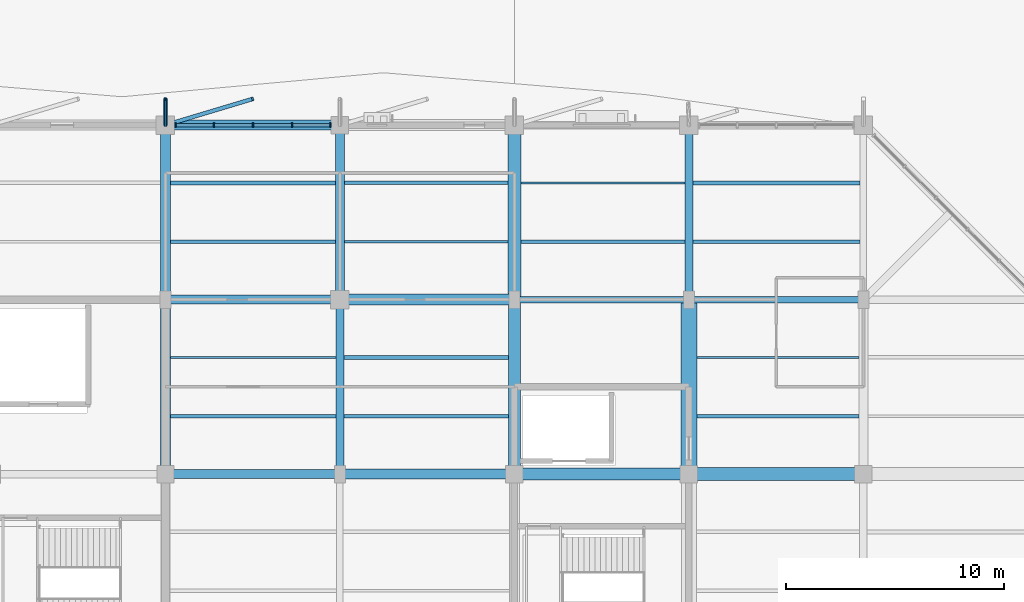
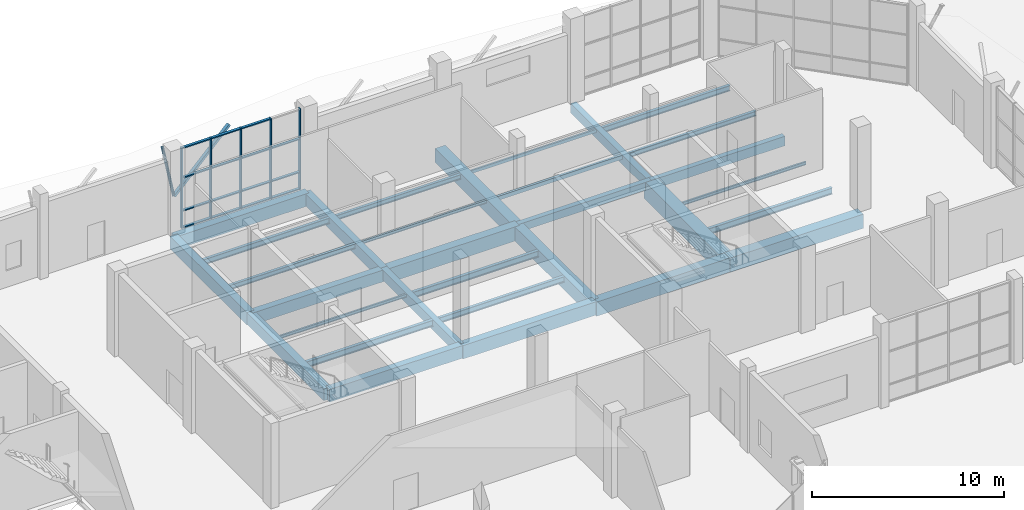
# One storey, part 41 of 123: 31 beams, 22 members, 1 element without a shape of its own.
"""IFC4 building model written with IfcOpenShell, lengths in metres."""

from ifc_helpers import new_model, si_unit, direction, frame, origin, origin_2d, place, context, subcontext, project, spatial, rectangle, hollow_rectangle, hollow_circle, i_section, extrude, material, material_profile, profile_set, type_object, element, aggregate, save


model = new_model("IFC4")

# Units and contexts
model_context = context("Model", 3, precision=1e-05, world=origin(), true_north=direction((0.0, 1.0)))
body_context = subcontext(model_context, "Body", "Model", "MODEL_VIEW")
ifc_project = project(units=[si_unit("LENGTHUNIT", "METRE"), si_unit("AREAUNIT", "SQUARE_METRE"), si_unit("VOLUMEUNIT", "CUBIC_METRE"), si_unit("PLANEANGLEUNIT", "RADIAN"), si_unit("MASSUNIT", "GRAM", prefix="KILO")], contexts=[model_context])

# Site, building, storey
site_placement = place(None, origin())
site = spatial("IfcSite", under=ifc_project, at=site_placement, CompositionType="ELEMENT")
building_placement = place(site_placement, origin())
building = spatial("IfcBuilding", under=site, at=building_placement, Name="Tenunan Teduh Sports Hall", CompositionType="ELEMENT")
storey_placement = place(building_placement, origin())
storey = spatial("IfcBuildingStorey", under=building, at=storey_placement, Name="L00", CompositionType="ELEMENT", Elevation=0.0)

# Beams
ifc_material_1 = material(Name="Concrete C40/50", Category="concrete")
ifc_material_profile_1 = material_profile(ifc_material_1, rectangle(XDim=0.300048828125, YDim=0.5, at=origin_2d()), Name="RCB 300x500")
ifc_profile_set_1 = profile_set([ifc_material_profile_1], Name="Concrete C40/50")
beam_type_1 = type_object("IfcBeamType", Name="BM-RC-300x500", PredefinedType="BEAM", material=ifc_profile_set_1)
beam_1_placement = place(storey_placement, frame((54.0, 110.0, -0.530029296875), z_axis=(1.0, 0.0, 0.0), x_axis=(0.0, 1.0, 0.0)))
element("IfcBeam", 1, at=beam_1_placement, inside=storey, type_object=beam_type_1, Name="BM-B-01-L00-0739", PredefinedType="BEAM", context=body_context, shape_type="SweptSolid", body=[
    extrude(rectangle(XDim=0.300048828125, YDim=0.5, at=origin_2d()), origin(), (0.0, 0.0, 1.0), 8.0),
])
ifc_material_2 = material(Name="Concrete C40/50", Category="concrete")
ifc_material_profile_2 = material_profile(ifc_material_2, rectangle(XDim=0.300048828125, YDim=0.60009765625, at=origin_2d()), Name="RCB 300x600")
ifc_profile_set_2 = profile_set([ifc_material_profile_2], Name="Concrete C40/50")
beam_type_2 = type_object("IfcBeamType", Name="BM-RC-300x600", PredefinedType="BEAM", material=ifc_profile_set_2)
beam_2_placement = place(storey_placement, frame((62.0, 110.0, -0.580078125), z_axis=(1.0, 0.0, 0.0), x_axis=(0.0, 1.0, 0.0)))
element("IfcBeam", 2, at=beam_2_placement, inside=storey, type_object=beam_type_2, Name="BM-B-03-L00-0740", PredefinedType="BEAM", context=body_context, shape_type="SweptSolid", body=[
    extrude(rectangle(XDim=0.300048828125, YDim=0.60009765625, at=origin_2d()), origin(), (0.0, 0.0, 1.0), 8.0),
])
ifc_material_3 = material(Name="Concrete C40/50", Category="concrete")
ifc_material_profile_3 = material_profile(ifc_material_3, rectangle(XDim=0.35009765625, YDim=0.60009765625, at=origin_2d()), Name="RCB 350x600")
ifc_profile_set_3 = profile_set([ifc_material_profile_3], Name="Concrete C40/50")
beam_type_3 = type_object("IfcBeamType", Name="BM-RC-350x600", PredefinedType="BEAM", material=ifc_profile_set_3)
beam_3_placement = place(storey_placement, frame((62.0, 110.0, -0.580078125), z_axis=(0.0, 1.0, 0.0), x_axis=(-1.0, 0.0, 0.0)))
element("IfcBeam", 3, at=beam_3_placement, inside=storey, type_object=beam_type_3, Name="BM-B-04-L00-0812", PredefinedType="BEAM", context=body_context, shape_type="SweptSolid", body=[
    extrude(rectangle(XDim=0.35009765625, YDim=0.60009765625, at=origin_2d()), origin(), (0.0, 0.0, 1.0), 8.0),
])
ifc_material_4 = material(Name="Concrete C40/50", Category="concrete")
ifc_material_profile_4 = material_profile(ifc_material_4, rectangle(XDim=0.35009765625, YDim=0.64990234375, at=origin_2d()), Name="RCB 350x650")
ifc_profile_set_4 = profile_set([ifc_material_profile_4], Name="Concrete C40/50")
beam_type_4 = type_object("IfcBeamType", Name="BM-RC-350x650", PredefinedType="BEAM", material=ifc_profile_set_4)
beam_4_placement = place(storey_placement, frame((46.0, 102.0, -0.60498046875), z_axis=(0.0, 1.0, 0.0), x_axis=(-1.0, 0.0, 0.0)))
element("IfcBeam", 4, at=beam_4_placement, inside=storey, type_object=beam_type_4, Name="BM-B-05-L00-0799", PredefinedType="BEAM", context=body_context, shape_type="SweptSolid", body=[
    extrude(rectangle(XDim=0.35009765625, YDim=0.64990234375, at=origin_2d()), origin(), (0.0, 0.0, 1.0), 8.0),
])
ifc_material_5 = material(Name="Concrete C40/50", Category="concrete")
ifc_material_profile_5 = material_profile(ifc_material_5, rectangle(XDim=0.39990234375, YDim=0.75, at=origin_2d()), Name="RCB 400x750")
ifc_profile_set_5 = profile_set([ifc_material_profile_5], Name="Concrete C40/50")
beam_type_5 = type_object("IfcBeamType", Name="BM-RC-400x750", PredefinedType="BEAM", material=ifc_profile_set_5)
for number, where, z_axis, x_axis, name in (
    (5, (38.0, 110.0, -0.655029296875), (1.0, 0.0, 0.0), (0.0, 1.0, 0.0), "BM-B-09-L00-0737"),
    (6, (46.0, 110.0, -0.655029296875), (0.0, 1.0, 0.0), (-1.0, 0.0, 0.0), "BM-B-09-L00-0800"),
):
    element("IfcBeam", number, at=place(storey_placement, frame(where, z_axis=z_axis, x_axis=x_axis)), inside=storey, type_object=beam_type_5, Name=name, PredefinedType="BEAM", context=body_context, shape_type="SweptSolid", body=[
        extrude(rectangle(XDim=0.39990234375, YDim=0.75, at=origin_2d()), origin(), (0.0, 0.0, 1.0), 8.0),
    ])
ifc_material_6 = material(Name="Concrete C40/50", Category="concrete")
ifc_material_profile_6 = material_profile(ifc_material_6, rectangle(XDim=0.39990234375, YDim=0.800048828125, at=origin_2d()), Name="RCB 400x800")
ifc_profile_set_6 = profile_set([ifc_material_profile_6], Name="Concrete C40/50")
beam_type_6 = type_object("IfcBeamType", Name="BM-RC-400x800", PredefinedType="BEAM", material=ifc_profile_set_6)
beam_5_placement = place(storey_placement, frame((38.0, 102.0, -0.679931640625), z_axis=(1.0, 0.0, 0.0), x_axis=(0.0, 1.0, 0.0)))
element("IfcBeam", 7, at=beam_5_placement, inside=storey, type_object=beam_type_6, Name="BM-B-10-L00-0720", PredefinedType="BEAM", context=body_context, shape_type="SweptSolid", body=[
    extrude(rectangle(XDim=0.39990234375, YDim=0.800048828125, at=origin_2d()), origin(), (0.0, 0.0, 1.0), 8.0),
])
ifc_material_7 = material(Name="Concrete C40/50", Category="concrete")
ifc_material_profile_7 = material_profile(ifc_material_7, rectangle(XDim=0.449951171875, YDim=0.75, at=origin_2d()), Name="RCB 450x750")
ifc_profile_set_7 = profile_set([ifc_material_profile_7], Name="Concrete C40/50")
beam_type_7 = type_object("IfcBeamType", Name="BM-RC-450x750", PredefinedType="BEAM", material=ifc_profile_set_7)
beam_6_placement = place(storey_placement, frame((38.0, 102.0, -0.655029296875), z_axis=(0.0, 1.0, 0.0), x_axis=(-1.0, 0.0, 0.0)))
element("IfcBeam", 8, at=beam_6_placement, inside=storey, type_object=beam_type_7, Name="BM-B-11-L00-0793", PredefinedType="BEAM", context=body_context, shape_type="SweptSolid", body=[
    extrude(rectangle(XDim=0.449951171875, YDim=0.75, at=origin_2d()), origin(), (0.0, 0.0, 1.0), 8.0),
])
ifc_material_8 = material(Name="Concrete C40/50", Category="concrete")
ifc_material_profile_8 = material_profile(ifc_material_8, rectangle(XDim=0.449951171875, YDim=0.800048828125, at=origin_2d()), Name="RCB 450x800")
ifc_profile_set_8 = profile_set([ifc_material_profile_8], Name="Concrete C40/50")
beam_type_8 = type_object("IfcBeamType", Name="BM-RC-450x800", PredefinedType="BEAM", material=ifc_profile_set_8)
for number, where, z_axis, x_axis, name in (
    (9, (38.0, 118.0, -0.679931640625), (1.0, 0.0, 0.0), (0.0, 1.0, 0.0), "BM-B-12-L00-0753"),
    (10, (38.0, 110.0, -0.679931640625), (0.0, 1.0, 0.0), (-1.0, 0.0, 0.0), "BM-B-12-L00-0794"),
):
    element("IfcBeam", number, at=place(storey_placement, frame(where, z_axis=z_axis, x_axis=x_axis)), inside=storey, type_object=beam_type_8, Name=name, PredefinedType="BEAM", context=body_context, shape_type="SweptSolid", body=[
        extrude(rectangle(XDim=0.449951171875, YDim=0.800048828125, at=origin_2d()), origin(), (0.0, 0.0, 1.0), 8.0),
    ])
ifc_material_9 = material(Name="Concrete C40/50", Category="concrete")
ifc_material_profile_9 = material_profile(ifc_material_9, rectangle(XDim=0.449951171875, YDim=0.85009765625, at=origin_2d()), Name="RCB 450x850")
ifc_profile_set_9 = profile_set([ifc_material_profile_9], Name="Concrete C40/50")
beam_type_9 = type_object("IfcBeamType", Name="BM-RC-450x850", PredefinedType="BEAM", material=ifc_profile_set_9)
beam_7_placement = place(storey_placement, frame((46.0, 102.0, -0.705078125), z_axis=(1.0, 0.0, 0.0), x_axis=(0.0, 1.0, 0.0)))
element("IfcBeam", 11, at=beam_7_placement, inside=storey, type_object=beam_type_9, Name="BM-B-13-L00-0721", PredefinedType="BEAM", context=body_context, shape_type="SweptSolid", body=[
    extrude(rectangle(XDim=0.449951171875, YDim=0.85009765625, at=origin_2d()), origin(), (0.0, 0.0, 1.0), 8.0),
])
ifc_material_10 = material(Name="Concrete C40/50", Category="concrete")
ifc_material_profile_10 = material_profile(ifc_material_10, rectangle(XDim=0.5, YDim=0.89990234375, at=origin_2d()), Name="RCB 500x900")
ifc_profile_set_10 = profile_set([ifc_material_profile_10], Name="Concrete C40/50")
beam_type_10 = type_object("IfcBeamType", Name="BM-RC-500x900", PredefinedType="BEAM", material=ifc_profile_set_10)
beam_8_placement = place(storey_placement, frame((46.0, 110.0, -0.72998046875), z_axis=(1.0, 0.0, 0.0), x_axis=(0.0, 1.0, 0.0)))
element("IfcBeam", 12, at=beam_8_placement, inside=storey, type_object=beam_type_10, Name="BM-B-15-L00-0738", PredefinedType="BEAM", context=body_context, shape_type="SweptSolid", body=[
    extrude(rectangle(XDim=0.5, YDim=0.89990234375, at=origin_2d()), origin(), (0.0, 0.0, 1.0), 8.0),
])
ifc_material_11 = material(Name="Concrete C40/50", Category="concrete")
ifc_material_profile_11 = material_profile(ifc_material_11, rectangle(XDim=0.550048828125, YDim=0.89990234375, at=origin_2d()), Name="RCB 550x900")
ifc_profile_set_11 = profile_set([ifc_material_profile_11], Name="Concrete C40/50")
beam_type_11 = type_object("IfcBeamType", Name="BM-RC-550x900", PredefinedType="BEAM", material=ifc_profile_set_11)
for number, where, z_axis, x_axis, name in (
    (13, (54.0, 102.0, -0.72998046875), (1.0, 0.0, 0.0), (0.0, 1.0, 0.0), "BM-B-16-L00-0722"),
    (14, (54.0, 102.0, -0.72998046875), (0.0, 1.0, 0.0), (-1.0, 0.0, 0.0), "BM-B-16-L00-0807"),
):
    element("IfcBeam", number, at=place(storey_placement, frame(where, z_axis=z_axis, x_axis=x_axis)), inside=storey, type_object=beam_type_11, Name=name, PredefinedType="BEAM", context=body_context, shape_type="SweptSolid", body=[
        extrude(rectangle(XDim=0.550048828125, YDim=0.89990234375, at=origin_2d()), origin(), (0.0, 0.0, 1.0), 8.0),
    ])
ifc_material_12 = material(Name="Concrete C40/50", Category="concrete")
ifc_material_profile_12 = material_profile(ifc_material_12, rectangle(XDim=0.60009765625, YDim=0.89990234375, at=origin_2d()), Name="RCB 600x900")
ifc_profile_set_12 = profile_set([ifc_material_profile_12], Name="Concrete C40/50")
beam_type_12 = type_object("IfcBeamType", Name="BM-RC-600x900", PredefinedType="BEAM", material=ifc_profile_set_12)
for number, where, z_axis, x_axis, name in (
    (15, (62.0, 102.0, -0.72998046875), (1.0, 0.0, 0.0), (0.0, 1.0, 0.0), "BM-B-17-L00-0723"),
    (16, (54.0, 110.0, -0.72998046875), (0.0, 1.0, 0.0), (-1.0, 0.0, 0.0), "BM-B-17-L00-0808"),
):
    element("IfcBeam", number, at=place(storey_placement, frame(where, z_axis=z_axis, x_axis=x_axis)), inside=storey, type_object=beam_type_12, Name=name, PredefinedType="BEAM", context=body_context, shape_type="SweptSolid", body=[
        extrude(rectangle(XDim=0.60009765625, YDim=0.89990234375, at=origin_2d()), origin(), (0.0, 0.0, 1.0), 8.0),
    ])
ifc_material_13 = material(Name="Concrete C40/50", Category="concrete")
ifc_material_profile_13 = material_profile(ifc_material_13, rectangle(XDim=0.75, YDim=1.10009765625, at=origin_2d()), Name="RCB 750x1100")
ifc_profile_set_13 = profile_set([ifc_material_profile_13], Name="Concrete C40/50")
beam_type_13 = type_object("IfcBeamType", Name="BM-RC-750x1100", PredefinedType="SPANDREL", material=ifc_profile_set_13)
beam_9_placement = place(storey_placement, frame((62.0, 102.0, -0.830078125), z_axis=(0.0, 1.0, 0.0), x_axis=(-1.0, 0.0, 0.0)))
element("IfcBeam", 17, at=beam_9_placement, inside=storey, type_object=beam_type_13, Name="BM-B-20-L00-0811", PredefinedType="SPANDREL", context=body_context, shape_type="SweptSolid", body=[
    extrude(rectangle(XDim=0.75, YDim=1.10009765625, at=origin_2d()), origin(), (0.0, 0.0, 1.0), 8.0),
])

# Curtain wall, members
ifc_material_14 = material(Name="Anodised aluminium", Category="aluminium")
curtain_wall_type = type_object("IfcCurtainWallType", Name="CW-UNIT-1", PredefinedType="NOTDEFINED", material=ifc_material_14)
curtain_wall_placement = place(storey_placement, origin())
curtain_wall = element("IfcCurtainWall", 18, at=curtain_wall_placement, inside=storey, type_object=curtain_wall_type, Name="CW-CWM-200-L00-196", PredefinedType="NOTDEFINED")
ifc_material_15 = material(Name="Anodised aluminium", Category="aluminium")
ifc_material_profile_14 = material_profile(ifc_material_15, rectangle(XDim=0.070068359375, YDim=0.199951171875, at=origin_2d()), Name="CWM 70x200")
ifc_profile_set_14 = profile_set([ifc_material_profile_14], Name="Anodised aluminium")
member_type_1 = type_object("IfcMemberType", Name="CWM-200", PredefinedType="MULLION", material=ifc_profile_set_14)
member_1_placement = place(storey_placement, frame((38.4599609375, 118.0, 0.0), z_axis=(0.0, 0.0, 1.0), x_axis=(1.0, 0.0, 0.0)))
member_1 = element("IfcMember", 19, at=member_1_placement, type_object=member_type_1, Name="CW-01 mullion 1", PredefinedType="MULLION", context=body_context, shape_type="SweptSolid", body=[
    extrude(rectangle(XDim=0.070068359375, YDim=0.199951171875, at=origin_2d()), origin(), (0.0, 0.0, 1.0), 5.1201171875),
])
member_2_placement = place(storey_placement, frame((40.21875, 118.0, 0.0), z_axis=(0.0, 0.0, 1.0), x_axis=(1.0, 0.0, 0.0)))
member_2 = element("IfcMember", 20, at=member_2_placement, type_object=member_type_1, Name="CW-01 mullion 2", PredefinedType="MULLION", context=body_context, shape_type="SweptSolid", body=[
    extrude(rectangle(XDim=0.070068359375, YDim=0.199951171875, at=origin_2d()), origin(), (0.0, 0.0, 1.0), 5.1201171875),
])
member_3_placement = place(storey_placement, frame((42.012451171875, 118.0, 0.0), z_axis=(0.0, 0.0, 1.0), x_axis=(1.0, 0.0, 0.0)))
member_3 = element("IfcMember", 21, at=member_3_placement, type_object=member_type_1, Name="CW-01 mullion 3", PredefinedType="MULLION", context=body_context, shape_type="SweptSolid", body=[
    extrude(rectangle(XDim=0.070068359375, YDim=0.199951171875, at=origin_2d()), origin(), (0.0, 0.0, 1.0), 5.1201171875),
])
member_4_placement = place(storey_placement, frame((43.80615234375, 118.0, 0.0), z_axis=(0.0, 0.0, 1.0), x_axis=(1.0, 0.0, 0.0)))
member_4 = element("IfcMember", 22, at=member_4_placement, type_object=member_type_1, Name="CW-01 mullion 4", PredefinedType="MULLION", context=body_context, shape_type="SweptSolid", body=[
    extrude(rectangle(XDim=0.070068359375, YDim=0.199951171875, at=origin_2d()), origin(), (0.0, 0.0, 1.0), 5.1201171875),
])
member_5_placement = place(storey_placement, frame((45.56494140625, 118.0, 0.0), z_axis=(0.0, 0.0, 1.0), x_axis=(1.0, 0.0, 0.0)))
member_5 = element("IfcMember", 23, at=member_5_placement, type_object=member_type_1, Name="CW-01 mullion 5", PredefinedType="MULLION", context=body_context, shape_type="SweptSolid", body=[
    extrude(rectangle(XDim=0.070068359375, YDim=0.199951171875, at=origin_2d()), origin(), (0.0, 0.0, 1.0), 5.1201171875),
])
ifc_material_16 = material(Name="Anodised aluminium", Category="aluminium")
ifc_material_profile_15 = material_profile(ifc_material_16, rectangle(XDim=0.070068359375, YDim=0.159912109375, at=origin_2d()), Name="CWT 70x160")
ifc_profile_set_15 = profile_set([ifc_material_profile_15], Name="Anodised aluminium")
member_type_2 = type_object("IfcMemberType", Name="CWT-200", PredefinedType="USERDEFINED", material=ifc_profile_set_15)
member_6_placement = place(storey_placement, frame((38.4951171875, 118.0, 0.034912109375), z_axis=(1.0, 0.0, 0.0), x_axis=(0.0, 0.0, 1.0)))
member_6 = element("IfcMember", 24, at=member_6_placement, type_object=member_type_2, Name="CW-01 transom 1.1", ObjectType="TRANSOM", PredefinedType="USERDEFINED", context=body_context, shape_type="SweptSolid", body=[
    extrude(rectangle(XDim=0.070068359375, YDim=0.159912109375, at=origin_2d()), origin(), (0.0, 0.0, 1.0), 1.688720703125),
])
member_7_placement = place(storey_placement, frame((38.4951171875, 118.0, 1.10009765625), z_axis=(1.0, 0.0, 0.0), x_axis=(0.0, 0.0, 1.0)))
member_7 = element("IfcMember", 25, at=member_7_placement, type_object=member_type_2, Name="CW-01 transom 1.2", ObjectType="TRANSOM", PredefinedType="USERDEFINED", context=body_context, shape_type="SweptSolid", body=[
    extrude(rectangle(XDim=0.070068359375, YDim=0.159912109375, at=origin_2d()), origin(), (0.0, 0.0, 1.0), 1.688720703125),
])
member_8_placement = place(storey_placement, frame((38.4951171875, 118.0, 3.199951171875), z_axis=(1.0, 0.0, 0.0), x_axis=(0.0, 0.0, 1.0)))
member_8 = element("IfcMember", 26, at=member_8_placement, type_object=member_type_2, Name="CW-01 transom 1.3", ObjectType="TRANSOM", PredefinedType="USERDEFINED", context=body_context, shape_type="SweptSolid", body=[
    extrude(rectangle(XDim=0.070068359375, YDim=0.159912109375, at=origin_2d()), origin(), (0.0, 0.0, 1.0), 1.688720703125),
])
member_9_placement = place(storey_placement, frame((38.4951171875, 118.0, 5.0849609375), z_axis=(1.0, 0.0, 0.0), x_axis=(0.0, 0.0, 1.0)))
member_9 = element("IfcMember", 27, at=member_9_placement, type_object=member_type_2, Name="CW-01 transom 1.4", ObjectType="TRANSOM", PredefinedType="USERDEFINED", context=body_context, shape_type="SweptSolid", body=[
    extrude(rectangle(XDim=0.070068359375, YDim=0.159912109375, at=origin_2d()), origin(), (0.0, 0.0, 1.0), 1.688720703125),
])
member_10_placement = place(storey_placement, frame((40.253662109375, 118.0, 0.034912109375), z_axis=(1.0, 0.0, 0.0), x_axis=(0.0, 0.0, 1.0)))
member_10 = element("IfcMember", 28, at=member_10_placement, type_object=member_type_2, Name="CW-01 transom 2.1", ObjectType="TRANSOM", PredefinedType="USERDEFINED", context=body_context, shape_type="SweptSolid", body=[
    extrude(rectangle(XDim=0.070068359375, YDim=0.159912109375, at=origin_2d()), origin(), (0.0, 0.0, 1.0), 1.723876953125),
])
member_11_placement = place(storey_placement, frame((40.253662109375, 118.0, 1.10009765625), z_axis=(1.0, 0.0, 0.0), x_axis=(0.0, 0.0, 1.0)))
member_11 = element("IfcMember", 29, at=member_11_placement, type_object=member_type_2, Name="CW-01 transom 2.2", ObjectType="TRANSOM", PredefinedType="USERDEFINED", context=body_context, shape_type="SweptSolid", body=[
    extrude(rectangle(XDim=0.070068359375, YDim=0.159912109375, at=origin_2d()), origin(), (0.0, 0.0, 1.0), 1.723876953125),
])
member_12_placement = place(storey_placement, frame((40.253662109375, 118.0, 3.199951171875), z_axis=(1.0, 0.0, 0.0), x_axis=(0.0, 0.0, 1.0)))
member_12 = element("IfcMember", 30, at=member_12_placement, type_object=member_type_2, Name="CW-01 transom 2.3", ObjectType="TRANSOM", PredefinedType="USERDEFINED", context=body_context, shape_type="SweptSolid", body=[
    extrude(rectangle(XDim=0.070068359375, YDim=0.159912109375, at=origin_2d()), origin(), (0.0, 0.0, 1.0), 1.723876953125),
])
member_13_placement = place(storey_placement, frame((40.253662109375, 118.0, 5.0849609375), z_axis=(1.0, 0.0, 0.0), x_axis=(0.0, 0.0, 1.0)))
member_13 = element("IfcMember", 31, at=member_13_placement, type_object=member_type_2, Name="CW-01 transom 2.4", ObjectType="TRANSOM", PredefinedType="USERDEFINED", context=body_context, shape_type="SweptSolid", body=[
    extrude(rectangle(XDim=0.070068359375, YDim=0.159912109375, at=origin_2d()), origin(), (0.0, 0.0, 1.0), 1.723876953125),
])
member_14_placement = place(storey_placement, frame((42.047607421875, 118.0, 0.034912109375), z_axis=(1.0, 0.0, 0.0), x_axis=(0.0, 0.0, 1.0)))
member_14 = element("IfcMember", 32, at=member_14_placement, type_object=member_type_2, Name="CW-01 transom 3.1", ObjectType="TRANSOM", PredefinedType="USERDEFINED", context=body_context, shape_type="SweptSolid", body=[
    extrude(rectangle(XDim=0.070068359375, YDim=0.159912109375, at=origin_2d()), origin(), (0.0, 0.0, 1.0), 1.7236328125),
])
member_15_placement = place(storey_placement, frame((42.047607421875, 118.0, 1.10009765625), z_axis=(1.0, 0.0, 0.0), x_axis=(0.0, 0.0, 1.0)))
member_15 = element("IfcMember", 33, at=member_15_placement, type_object=member_type_2, Name="CW-01 transom 3.2", ObjectType="TRANSOM", PredefinedType="USERDEFINED", context=body_context, shape_type="SweptSolid", body=[
    extrude(rectangle(XDim=0.070068359375, YDim=0.159912109375, at=origin_2d()), origin(), (0.0, 0.0, 1.0), 1.7236328125),
])
member_16_placement = place(storey_placement, frame((42.047607421875, 118.0, 3.199951171875), z_axis=(1.0, 0.0, 0.0), x_axis=(0.0, 0.0, 1.0)))
member_16 = element("IfcMember", 34, at=member_16_placement, type_object=member_type_2, Name="CW-01 transom 3.3", ObjectType="TRANSOM", PredefinedType="USERDEFINED", context=body_context, shape_type="SweptSolid", body=[
    extrude(rectangle(XDim=0.070068359375, YDim=0.159912109375, at=origin_2d()), origin(), (0.0, 0.0, 1.0), 1.7236328125),
])
member_17_placement = place(storey_placement, frame((42.047607421875, 118.0, 5.0849609375), z_axis=(1.0, 0.0, 0.0), x_axis=(0.0, 0.0, 1.0)))
member_17 = element("IfcMember", 35, at=member_17_placement, type_object=member_type_2, Name="CW-01 transom 3.4", ObjectType="TRANSOM", PredefinedType="USERDEFINED", context=body_context, shape_type="SweptSolid", body=[
    extrude(rectangle(XDim=0.070068359375, YDim=0.159912109375, at=origin_2d()), origin(), (0.0, 0.0, 1.0), 1.7236328125),
])
member_18_placement = place(storey_placement, frame((43.84130859375, 118.0, 0.034912109375), z_axis=(1.0, 0.0, 0.0), x_axis=(0.0, 0.0, 1.0)))
member_18 = element("IfcMember", 36, at=member_18_placement, type_object=member_type_2, Name="CW-01 transom 4.1", ObjectType="TRANSOM", PredefinedType="USERDEFINED", context=body_context, shape_type="SweptSolid", body=[
    extrude(rectangle(XDim=0.070068359375, YDim=0.159912109375, at=origin_2d()), origin(), (0.0, 0.0, 1.0), 1.688720703125),
])
member_19_placement = place(storey_placement, frame((43.84130859375, 118.0, 1.10009765625), z_axis=(1.0, 0.0, 0.0), x_axis=(0.0, 0.0, 1.0)))
member_19 = element("IfcMember", 37, at=member_19_placement, type_object=member_type_2, Name="CW-01 transom 4.2", ObjectType="TRANSOM", PredefinedType="USERDEFINED", context=body_context, shape_type="SweptSolid", body=[
    extrude(rectangle(XDim=0.070068359375, YDim=0.159912109375, at=origin_2d()), origin(), (0.0, 0.0, 1.0), 1.688720703125),
])
member_20_placement = place(storey_placement, frame((43.84130859375, 118.0, 3.199951171875), z_axis=(1.0, 0.0, 0.0), x_axis=(0.0, 0.0, 1.0)))
member_20 = element("IfcMember", 38, at=member_20_placement, type_object=member_type_2, Name="CW-01 transom 4.3", ObjectType="TRANSOM", PredefinedType="USERDEFINED", context=body_context, shape_type="SweptSolid", body=[
    extrude(rectangle(XDim=0.070068359375, YDim=0.159912109375, at=origin_2d()), origin(), (0.0, 0.0, 1.0), 1.688720703125),
])
aggregate(curtain_wall, [member_1, member_2, member_3, member_4, member_5, member_6, member_7, member_8, member_9, member_10, member_11, member_12, member_13, member_14, member_15, member_16, member_17, member_18, member_19, member_20])

# Beams
ifc_material_17 = material(Name="Steel S355", Category="steel")
ifc_material_profile_16 = material_profile(ifc_material_17, i_section(OverallWidth=0.10009765625, OverallDepth=0.199951171875, WebThickness=0.005615234375, FlangeThickness=0.008544921875, FilletRadius=0.011962890625, at=origin_2d()), Name="IPE 200")
ifc_profile_set_16 = profile_set([ifc_material_profile_16], Name="Steel S355")
beam_type_14 = type_object("IfcBeamType", Name="JST-IPE200", PredefinedType="JOIST", material=ifc_profile_set_16)
beam_10_placement = place(storey_placement, frame((38.22509765625, 107.35009765625, -0.3798828125), z_axis=(1.0, 0.0, 0.0), x_axis=(0.0, 1.0, 0.0)))
element("IfcBeam", 39, at=beam_10_placement, inside=storey, type_object=beam_type_14, Name="BM-J-01-L00-0941", PredefinedType="JOIST", context=body_context, shape_type="SweptSolid", body=[
    extrude(i_section(OverallWidth=0.10009765625, OverallDepth=0.199951171875, WebThickness=0.005615234375, FlangeThickness=0.008544921875, FilletRadius=0.011962890625, at=origin_2d()), origin(), (0.0, 0.0, 1.0), 7.599853515625),
])
beam_11_placement = place(storey_placement, frame((46.199951171875, 112.64990234375, -0.3798828125), z_axis=(1.0, 0.0, 0.0), x_axis=(0.0, 1.0, 0.0)))
element("IfcBeam", 40, at=beam_11_placement, inside=storey, type_object=beam_type_14, Name="BM-J-01-L00-0952", PredefinedType="JOIST", context=body_context, shape_type="SweptSolid", body=[
    extrude(i_section(OverallWidth=0.10009765625, OverallDepth=0.199951171875, WebThickness=0.005615234375, FlangeThickness=0.008544921875, FilletRadius=0.011962890625, at=origin_2d()), origin(), (0.0, 0.0, 1.0), 7.5),
])
beam_12_placement = place(storey_placement, frame((62.375, 107.35009765625, -0.3798828125), z_axis=(1.0, 0.0, 0.0), x_axis=(0.0, 1.0, 0.0)))
element("IfcBeam", 41, at=beam_12_placement, inside=storey, type_object=beam_type_14, Name="BM-J-01-L00-0963", PredefinedType="JOIST", context=body_context, shape_type="SweptSolid", body=[
    extrude(i_section(OverallWidth=0.10009765625, OverallDepth=0.199951171875, WebThickness=0.005615234375, FlangeThickness=0.008544921875, FilletRadius=0.011962890625, at=origin_2d()), origin(), (0.0, 0.0, 1.0), 7.425048828125),
])
ifc_material_18 = material(Name="Steel S355", Category="steel")
ifc_material_profile_17 = material_profile(ifc_material_18, i_section(OverallWidth=0.169921875, OverallDepth=0.360107421875, WebThickness=0.008056640625, FlangeThickness=0.0126953125, FilletRadius=0.01806640625, at=origin_2d()), Name="IPE 360")
ifc_profile_set_17 = profile_set([ifc_material_profile_17], Name="Steel S355")
beam_type_15 = type_object("IfcBeamType", Name="JST-IPE360", PredefinedType="JOIST", material=ifc_profile_set_17)
beam_13_placement = place(storey_placement, frame((46.175048828125, 104.64990234375, -0.4599609375), z_axis=(1.0, 0.0, 0.0), x_axis=(0.0, 1.0, 0.0)))
element("IfcBeam", 42, at=beam_13_placement, inside=storey, type_object=beam_type_15, Name="BM-J-05-L00-0950", PredefinedType="JOIST", context=body_context, shape_type="SweptSolid", body=[
    extrude(i_section(OverallWidth=0.169921875, OverallDepth=0.360107421875, WebThickness=0.008056640625, FlangeThickness=0.0126953125, FilletRadius=0.01806640625, at=origin_2d()), origin(), (0.0, 0.0, 1.0), 7.550048828125),
])
ifc_material_19 = material(Name="Steel S355", Category="steel")
ifc_material_profile_18 = material_profile(ifc_material_19, i_section(OverallWidth=0.179931640625, OverallDepth=0.39990234375, WebThickness=0.008544921875, FlangeThickness=0.013427734375, FilletRadius=0.02099609375, at=origin_2d()), Name="IPE 400")
ifc_profile_set_18 = profile_set([ifc_material_profile_18], Name="Steel S355")
beam_type_16 = type_object("IfcBeamType", Name="JST-IPE400", PredefinedType="JOIST", material=ifc_profile_set_18)
beam_14_placement = place(storey_placement, frame((38.22509765625, 104.64990234375, -0.47998046875), z_axis=(1.0, 0.0, 0.0), x_axis=(0.0, 1.0, 0.0)))
element("IfcBeam", 43, at=beam_14_placement, inside=storey, type_object=beam_type_16, Name="BM-J-06-L00-0940", PredefinedType="JOIST", context=body_context, shape_type="SweptSolid", body=[
    extrude(i_section(OverallWidth=0.179931640625, OverallDepth=0.39990234375, WebThickness=0.008544921875, FlangeThickness=0.013427734375, FilletRadius=0.02099609375, at=origin_2d()), origin(), (0.0, 0.0, 1.0), 7.599853515625),
])
beam_15_placement = place(storey_placement, frame((46.175048828125, 107.35009765625, -0.47998046875), z_axis=(1.0, 0.0, 0.0), x_axis=(0.0, 1.0, 0.0)))
element("IfcBeam", 44, at=beam_15_placement, inside=storey, type_object=beam_type_16, Name="BM-J-06-L00-0951", PredefinedType="JOIST", context=body_context, shape_type="SweptSolid", body=[
    extrude(i_section(OverallWidth=0.179931640625, OverallDepth=0.39990234375, WebThickness=0.008544921875, FlangeThickness=0.013427734375, FilletRadius=0.02099609375, at=origin_2d()), origin(), (0.0, 0.0, 1.0), 7.550048828125),
])
beam_16_placement = place(storey_placement, frame((62.375, 104.64990234375, -0.47998046875), z_axis=(1.0, 0.0, 0.0), x_axis=(0.0, 1.0, 0.0)))
element("IfcBeam", 45, at=beam_16_placement, inside=storey, type_object=beam_type_16, Name="BM-J-06-L00-0962", PredefinedType="JOIST", context=body_context, shape_type="SweptSolid", body=[
    extrude(i_section(OverallWidth=0.179931640625, OverallDepth=0.39990234375, WebThickness=0.008544921875, FlangeThickness=0.013427734375, FilletRadius=0.02099609375, at=origin_2d()), origin(), (0.0, 0.0, 1.0), 7.425048828125),
])

# Members
ifc_material_20 = material(Name="Steel S355", Category="steel")
ifc_material_profile_19 = material_profile(ifc_material_20, hollow_circle(Radius=0.084228515625, WallThickness=0.008056640625, at=origin_2d()), Name="CHS 168.3x8.0")
ifc_profile_set_19 = profile_set([ifc_material_profile_19], Name="Steel S355")
member_type_3 = type_object("IfcMemberType", Name="MEM-BR-CHS168", PredefinedType="BRACE", material=ifc_profile_set_19)
member_21_placement = place(storey_placement, frame((38.0, 118.0, 2.199951171875), z_axis=(0.0, 0.444210511522, 0.895922441651), x_axis=(-1.0, 0.0, 0.0)))
element("IfcMember", 46, at=member_21_placement, inside=storey, type_object=member_type_3, Name="MEM-GD-04-L00-1113", PredefinedType="BRACE", context=body_context, shape_type="SweptSolid", body=[
    extrude(hollow_circle(Radius=0.084228515625, WallThickness=0.008056640625, at=origin_2d()), origin(), (0.0, 0.0, 1.0), 2.701416015625),
])
ifc_material_21 = material(Name="Steel S355", Category="steel")
ifc_material_profile_20 = material_profile(ifc_material_21, hollow_rectangle(XDim=0.179931640625, YDim=0.179931640625, WallThickness=0.010009765625, at=origin_2d()), Name="SHS 180x180x10.0")
ifc_profile_set_20 = profile_set([ifc_material_profile_20], Name="Steel S355")
member_type_4 = type_object("IfcMemberType", Name="MEM-ST-SHS180", PredefinedType="STRUT", material=ifc_profile_set_20)
member_22_placement = place(storey_placement, frame((38.0, 118.0, 2.199951171875), z_axis=(0.828722607556, 0.248606666024, 0.501411572797), x_axis=(-0.287337158709, 0.957829503213, 0.0)))
element("IfcMember", 47, at=member_22_placement, inside=storey, type_object=member_type_4, Name="MEM-VS-03-L00-1114", PredefinedType="STRUT", context=body_context, shape_type="SweptSolid", body=[
    extrude(hollow_rectangle(XDim=0.179931640625, YDim=0.179931640625, WallThickness=0.010009765625, at=origin_2d()), origin(), (0.0, 0.0, 1.0), 4.82666015625),
])

# Beams
ifc_material_22 = material(Name="Steel S355", Category="steel")
ifc_material_profile_21 = material_profile(ifc_material_22, hollow_rectangle(XDim=0.10009765625, YDim=0.199951171875, WallThickness=0.008056640625, at=origin_2d()), Name="RHS 200x100x8.0")
ifc_profile_set_21 = profile_set([ifc_material_profile_21], Name="Steel S355")
beam_type_17 = type_object("IfcBeamType", Name="RBM-RHS200", PredefinedType="JOIST", material=ifc_profile_set_21)
beam_17_placement = place(storey_placement, frame((54.300048828125, 115.35009765625, -0.3798828125), z_axis=(1.0, 0.0, 0.0), x_axis=(0.0, 1.0, 0.0)))
element("IfcBeam", 48, at=beam_17_placement, inside=storey, type_object=beam_type_17, Name="Perimeter Ring Beam BM-RB-05-L00-0957", PredefinedType="JOIST", context=body_context, shape_type="SweptSolid", body=[
    extrude(hollow_rectangle(XDim=0.10009765625, YDim=0.199951171875, WallThickness=0.008056640625, at=origin_2d()), origin(), (0.0, 0.0, 1.0), 7.52490234375),
])
ifc_material_23 = material(Name="Steel S355", Category="steel")
ifc_material_profile_22 = material_profile(ifc_material_23, hollow_rectangle(XDim=0.14990234375, YDim=0.25, WallThickness=0.010009765625, at=origin_2d()), Name="RHS 250x150x10.0")
ifc_profile_set_22 = profile_set([ifc_material_profile_22], Name="Steel S355")
beam_type_18 = type_object("IfcBeamType", Name="RBM-RHS250", PredefinedType="BEAM", material=ifc_profile_set_22)
beam_18_placement = place(storey_placement, frame((54.300048828125, 112.64990234375, -0.405029296875), z_axis=(1.0, 0.0, 0.0), x_axis=(0.0, 1.0, 0.0)))
element("IfcBeam", 49, at=beam_18_placement, inside=storey, type_object=beam_type_18, Name="Perimeter Ring Beam BM-RB-04-L00-0956", PredefinedType="BEAM", context=body_context, shape_type="SweptSolid", body=[
    extrude(hollow_rectangle(XDim=0.14990234375, YDim=0.25, WallThickness=0.010009765625, at=origin_2d()), origin(), (0.0, 0.0, 1.0), 7.52490234375),
])
ifc_material_24 = material(Name="Steel S355", Category="steel")
ifc_material_profile_23 = material_profile(ifc_material_24, i_section(OverallWidth=0.1650390625, OverallDepth=0.303466796875, WebThickness=0.006103515625, FlangeThickness=0.01025390625, FilletRadius=0.0087890625, at=origin_2d()), Name="UKB 305x165x40")
ifc_profile_set_23 = profile_set([ifc_material_profile_23], Name="Steel S355")
beam_type_19 = type_object("IfcBeamType", Name="SBM-UKB305", PredefinedType="BEAM", material=ifc_profile_set_23)
beam_19_placement = place(storey_placement, frame((38.22509765625, 112.64990234375, -0.431640625), z_axis=(1.0, 0.0, 0.0), x_axis=(0.0, 1.0, 0.0)))
element("IfcBeam", 50, at=beam_19_placement, inside=storey, type_object=beam_type_19, Name="BM-SB-01-L00-0942", PredefinedType="BEAM", context=body_context, shape_type="SweptSolid", body=[
    extrude(i_section(OverallWidth=0.1650390625, OverallDepth=0.303466796875, WebThickness=0.006103515625, FlangeThickness=0.01025390625, FilletRadius=0.0087890625, at=origin_2d()), origin(), (0.0, 0.0, 1.0), 7.574951171875),
])
beam_20_placement = place(storey_placement, frame((46.199951171875, 115.35009765625, -0.431640625), z_axis=(1.0, 0.0, 0.0), x_axis=(0.0, 1.0, 0.0)))
element("IfcBeam", 51, at=beam_20_placement, inside=storey, type_object=beam_type_19, Name="BM-SB-01-L00-0953", PredefinedType="BEAM", context=body_context, shape_type="SweptSolid", body=[
    extrude(i_section(OverallWidth=0.1650390625, OverallDepth=0.303466796875, WebThickness=0.006103515625, FlangeThickness=0.01025390625, FilletRadius=0.0087890625, at=origin_2d()), origin(), (0.0, 0.0, 1.0), 7.5),
])
beam_21_placement = place(storey_placement, frame((62.175048828125, 112.64990234375, -0.431640625), z_axis=(1.0, 0.0, 0.0), x_axis=(0.0, 1.0, 0.0)))
element("IfcBeam", 52, at=beam_21_placement, inside=storey, type_object=beam_type_19, Name="BM-SB-01-L00-0964", PredefinedType="BEAM", context=body_context, shape_type="SweptSolid", body=[
    extrude(i_section(OverallWidth=0.1650390625, OverallDepth=0.303466796875, WebThickness=0.006103515625, FlangeThickness=0.01025390625, FilletRadius=0.0087890625, at=origin_2d()), origin(), (0.0, 0.0, 1.0), 7.675048828125),
])
ifc_material_25 = material(Name="Steel S355", Category="steel")
ifc_material_profile_24 = material_profile(ifc_material_25, i_section(OverallWidth=0.17138671875, OverallDepth=0.35498046875, WebThickness=0.00732421875, FlangeThickness=0.011474609375, FilletRadius=0.01025390625, at=origin_2d()), Name="UKB 356x171x51")
ifc_profile_set_24 = profile_set([ifc_material_profile_24], Name="Steel S355")
beam_type_20 = type_object("IfcBeamType", Name="SBM-UKB356", PredefinedType="BEAM", material=ifc_profile_set_24)
beam_22_placement = place(storey_placement, frame((38.22509765625, 115.35009765625, -0.45751953125), z_axis=(1.0, 0.0, 0.0), x_axis=(0.0, 1.0, 0.0)))
element("IfcBeam", 53, at=beam_22_placement, inside=storey, type_object=beam_type_20, Name="BM-SB-02-L00-0943", PredefinedType="BEAM", context=body_context, shape_type="SweptSolid", body=[
    extrude(i_section(OverallWidth=0.17138671875, OverallDepth=0.35498046875, WebThickness=0.00732421875, FlangeThickness=0.011474609375, FilletRadius=0.01025390625, at=origin_2d()), origin(), (0.0, 0.0, 1.0), 7.574951171875),
])
beam_23_placement = place(storey_placement, frame((62.175048828125, 115.35009765625, -0.45751953125), z_axis=(1.0, 0.0, 0.0), x_axis=(0.0, 1.0, 0.0)))
element("IfcBeam", 54, at=beam_23_placement, inside=storey, type_object=beam_type_20, Name="BM-SB-02-L00-0965", PredefinedType="BEAM", context=body_context, shape_type="SweptSolid", body=[
    extrude(i_section(OverallWidth=0.17138671875, OverallDepth=0.35498046875, WebThickness=0.00732421875, FlangeThickness=0.011474609375, FilletRadius=0.01025390625, at=origin_2d()), origin(), (0.0, 0.0, 1.0), 7.675048828125),
])

save(model, "model.ifc")
